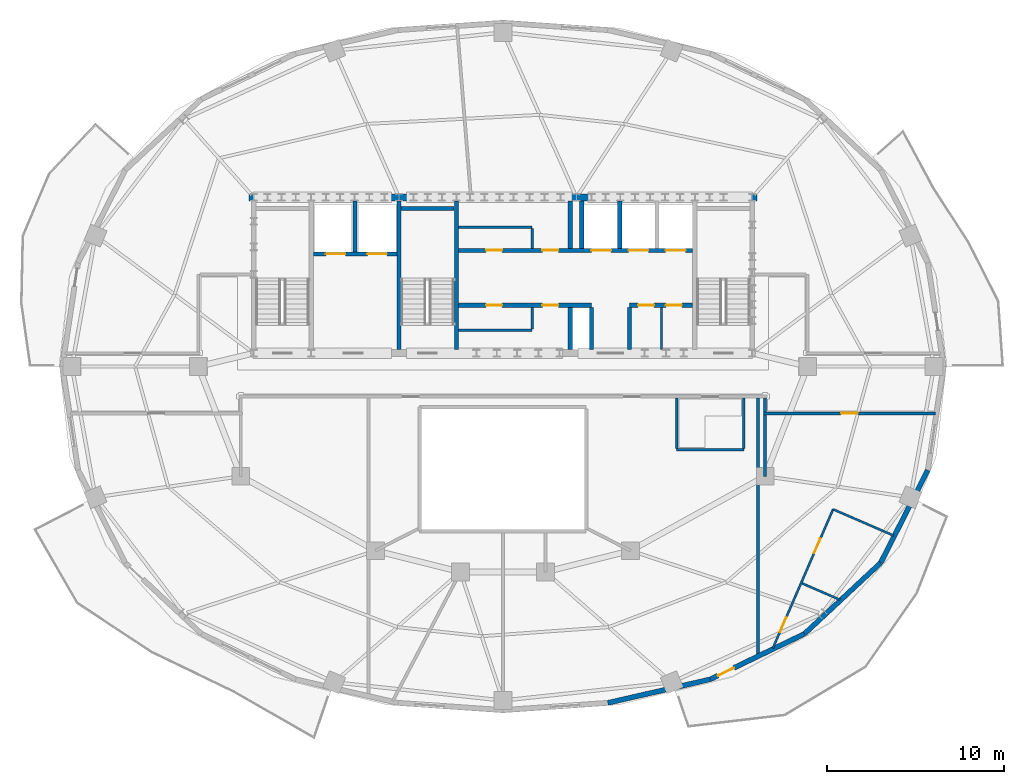
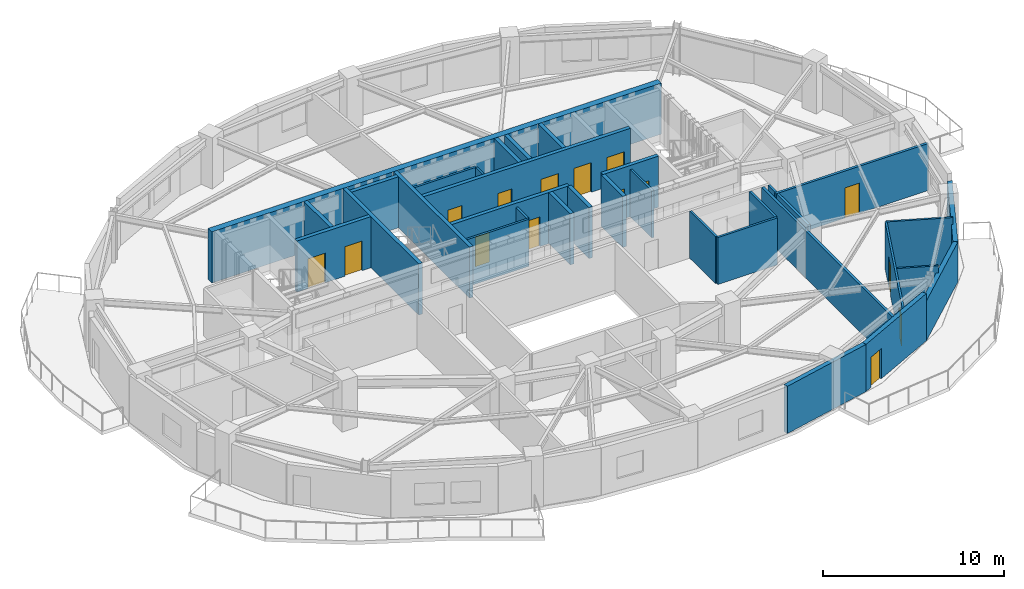
# One storey, part 4 of 9: 34 walls, 15 doors, 15 openings.
"""IFC4 building model written with IfcOpenShell, lengths in metres."""

from ifc_helpers import new_model, si_unit, direction, frame, frame_2d, origin, place, context, subcontext, project, spatial, rectangle, extrude, material, layer, layer_set, type_object, element, fill, save


model = new_model("IFC4")

# Units and contexts
model_context = context("Model", 3, precision=1e-05, world=origin(), true_north=direction((0.0, 1.0)))
body_context = subcontext(model_context, "Body", "Model", "MODEL_VIEW")
ifc_project = project(units=[si_unit("LENGTHUNIT", "METRE"), si_unit("AREAUNIT", "SQUARE_METRE"), si_unit("VOLUMEUNIT", "CUBIC_METRE"), si_unit("PLANEANGLEUNIT", "RADIAN"), si_unit("MASSUNIT", "GRAM", prefix="KILO")], contexts=[model_context])

# Site, building, storey
site_placement = place(None, origin())
site = spatial("IfcSite", under=ifc_project, at=site_placement, CompositionType="ELEMENT")
building_placement = place(site_placement, origin())
building = spatial("IfcBuilding", under=site, at=building_placement, Name="Haldorwick Loom Tower", CompositionType="ELEMENT")
storey_placement = place(building_placement, frame((0.0, 0.0, 244.35009765625)))
storey = spatial("IfcBuildingStorey", under=building, at=storey_placement, Name="L66", CompositionType="ELEMENT", Elevation=244.35009765625)

# Wall
ifc_material_1 = material(Name="Pressed Clay Face Brick and Insulated Masonry Backup Assembly", Category="masonry")
ifc_layer_1 = layer(ifc_material_1, 0.280029296875, Name="Pressed Clay Face Brick and Insulated Masonry Backup Assembly", Category="masonry")
ifc_layer_set_1 = layer_set([ifc_layer_1], Name="Pressed Clay Face Brick and Insulated Masonry Backup Assembly")
wall_type_1 = type_object("IfcWallType", Name="ARC-WL-EXT280", PredefinedType="STANDARD", material=ifc_layer_set_1)
wall_1_placement = place(storey_placement, frame((41.91943359375, 7.006103515625, 0.0), z_axis=(0.0, 0.0, 1.0), x_axis=(0.974589984037, 0.223996345987, 0.0)))
element("IfcWall", 1, at=wall_1_placement, inside=storey, type_object=wall_type_1, Name="L66 Brick Pier and Spandrel Wall 20", PredefinedType="STANDARD", context=body_context, shape_type="SweptSolid", body=[
    extrude(rectangle(XDim=5.92919921875, YDim=0.280029296875, at=frame_2d((2.964599609375, 0.0))), origin(), (0.0, 0.0, 1.0), 3.18994140625),
])

# Wall, opening, door
wall_2_placement = place(storey_placement, frame((47.697998046875, 8.334228515625, 0.0), z_axis=(0.0, 0.0, 1.0), x_axis=(0.900481907967, 0.434893473651, 0.0)))
wall_2 = element("IfcWall", 2, at=wall_2_placement, inside=storey, type_object=wall_type_1, Name="L66 Brick Pier and Spandrel Wall 21", PredefinedType="STANDARD", context=body_context, shape_type="SweptSolid", body=[
    extrude(rectangle(XDim=5.90966796875, YDim=0.280029296875, at=frame_2d((2.954833984375, 0.0))), origin(), (0.0, 0.0, 1.0), 3.18994140625),
])
opening_1_placement = place(wall_2_placement, frame((0.486083984375, 0.0, 0.0)))
opening_1 = element("IfcOpeningElement", 3, at=opening_1_placement, cuts=wall_2, Name="Opening D-BL10", PredefinedType="OPENING", context=body_context, shape_type="SweptSolid", body=[
    extrude(rectangle(XDim=1.0, YDim=2.0400390625, at=frame_2d((0.5, 1.02001953125))), frame((0.0, 0.14990234375, 0.0), z_axis=(0.0, -1.0, 0.0), x_axis=(1.0, 0.0, 0.0)), (0.0, 0.0, 1.0), 0.300048828125),
])
ifc_material_2 = material(Name="Thermally Broken Anodized Aluminium Curtain Wall Framing", Category="aluminium")
door_type_1 = type_object("IfcDoorType", Name="ARC-DR-BAL100", OperationType="NOTDEFINED", PredefinedType="DOOR", material=ifc_material_2)
door_1_placement = place(opening_1_placement, origin())
door_1 = element("IfcDoor", 4, at=door_1_placement, inside=storey, type_object=door_type_1, Name="L66 Outdoor Terrace Door SLB-L66-BAL_SE", OperationType="SINGLE_SWING_RIGHT", OverallHeight=2.0400390625, OverallWidth=1.0, PredefinedType="DOOR", context=body_context, shape_type="SweptSolid", body=[
    extrude(rectangle(XDim=1.0, YDim=2.0400390625, at=frame_2d((0.5, 1.02001953125))), frame((0.0, 0.02490234375, 0.0), z_axis=(0.0, -1.0, 0.0), x_axis=(1.0, 0.0, 0.0)), (0.0, 0.0, 1.0), 0.050048828125),
])
fill(opening_1, door_1)

# Walls
wall_3_placement = place(storey_placement, frame((53.01953125, 10.904296875, 0.0), z_axis=(0.0, 0.0, 1.0), x_axis=(0.731924682982, 0.68138554317, 0.0)))
element("IfcWall", 5, at=wall_3_placement, inside=storey, type_object=wall_type_1, Name="L66 Brick Pier and Spandrel Wall 22", PredefinedType="STANDARD", context=body_context, shape_type="SweptSolid", body=[
    extrude(rectangle(XDim=5.87890625, YDim=0.280029296875, at=frame_2d((2.939453125, 0.0))), origin(), (0.0, 0.0, 1.0), 2.698974609375),
])
wall_4_placement = place(storey_placement, frame((57.322509765625, 14.91015625, 0.0), z_axis=(0.0, 0.0, 1.0), x_axis=(0.453100705059, 0.89145933787, 0.0)))
element("IfcWall", 6, at=wall_4_placement, inside=storey, type_object=wall_type_1, Name="L66 Brick Pier and Spandrel Wall 23", PredefinedType="STANDARD", context=body_context, shape_type="SweptSolid", body=[
    extrude(rectangle(XDim=5.879150390625, YDim=0.280029296875, at=frame_2d((2.939453125, 0.0))), origin(), (0.0, 0.0, 1.0), 2.698974609375),
])

# Wall, opening, door
ifc_material_3 = material(Name="Fire-Rated Type X Gypsum Stud Assembly EI 60")
ifc_layer_2 = layer(ifc_material_3, 0.159912109375, Name="Fire-Rated Type X Gypsum Stud Assembly EI 60")
ifc_layer_set_2 = layer_set([ifc_layer_2], Name="Fire-Rated Type X Gypsum Stud Assembly EI 60")
wall_type_2 = type_object("IfcWallType", Name="ARC-WL-FIRE160", PredefinedType="PARTITIONING", material=ifc_layer_set_2)
wall_5_placement = place(storey_placement, frame((50.699951171875, 23.35009765625, 0.0), z_axis=(0.0, 0.0, 1.0), x_axis=(1.0, 0.0, 0.0)))
wall_5 = element("IfcWall", 7, at=wall_5_placement, inside=storey, type_object=wall_type_2, Name="L66 Residential Fire Partition L66-CR-SPE", PredefinedType="PARTITIONING", context=body_context, shape_type="SweptSolid", body=[
    extrude(rectangle(XDim=9.727783203125, YDim=0.159912109375, at=frame_2d((4.86376953125, 0.0))), origin(), (0.0, 0.0, 1.0), 3.1748046875),
])
opening_2_placement = place(wall_5_placement, frame((4.388916015625, 0.0, 0.0)))
opening_2 = element("IfcOpeningElement", 8, at=opening_2_placement, cuts=wall_5, Name="Opening D-FL95", PredefinedType="OPENING", context=body_context, shape_type="SweptSolid", body=[
    extrude(rectangle(XDim=0.949951171875, YDim=2.0400390625, at=frame_2d((0.47509765625, 1.02001953125))), frame((0.0, 0.08984375, 0.0), z_axis=(0.0, -1.0, 0.0), x_axis=(1.0, 0.0, 0.0)), (0.0, 0.0, 1.0), 0.179931640625),
])
ifc_material_4 = material(Name="Solid Core Birch Architectural Door")
door_type_2 = type_object("IfcDoorType", Name="ARC-DR-FLAT95", OperationType="NOTDEFINED", PredefinedType="DOOR", material=ifc_material_4)
door_2_placement = place(opening_2_placement, origin())
door_2 = element("IfcDoor", 9, at=door_2_placement, inside=storey, type_object=door_type_2, Name="L66 L66 Central Residential Corridor to Unit 66B Kitchen and Living Room", OperationType="SINGLE_SWING_RIGHT", OverallHeight=2.0400390625, OverallWidth=0.949951171875, PredefinedType="DOOR", context=body_context, shape_type="SweptSolid", body=[
    extrude(rectangle(XDim=0.949951171875, YDim=2.0400390625, at=frame_2d((0.47509765625, 1.02001953125))), frame((0.0, 0.02490234375, 0.0), z_axis=(0.0, -1.0, 0.0), x_axis=(1.0, 0.0, 0.0)), (0.0, 0.0, 1.0), 0.050048828125),
])
fill(opening_2, door_2)

# Walls
wall_6_placement = place(storey_placement, frame((50.800048828125, 23.43310546875, 0.0), z_axis=(0.0, 0.0, 1.0), x_axis=(0.0, 1.0, 0.0)))
element("IfcWall", 10, at=wall_6_placement, inside=storey, type_object=wall_type_2, Name="L66 Residential Fire Partition L66-CR-STE", PredefinedType="PARTITIONING", context=body_context, shape_type="SweptSolid", body=[
    extrude(rectangle(XDim=0.783935546875, YDim=0.159912109375, at=frame_2d((0.39208984375, 0.0))), origin(), (0.0, 0.0, 1.0), 3.1748046875),
])
wall_7_placement = place(storey_placement, frame((50.800048828125, 23.26708984375, 0.0), z_axis=(0.0, 0.0, 1.0), x_axis=(0.0, -1.0, 0.0)))
element("IfcWall", 11, at=wall_7_placement, inside=storey, type_object=wall_type_2, Name="L66 Residential Fire Partition L66-ICA-01", PredefinedType="PARTITIONING", context=body_context, shape_type="SweptSolid", body=[
    extrude(rectangle(XDim=3.467041015625, YDim=0.159912109375, at=frame_2d((1.7333984375, 0.0))), origin(), (0.0, 0.0, 1.0), 3.1748046875),
])
wall_8_placement = place(storey_placement, frame((50.406005859375, 9.692138671875, 0.0), z_axis=(0.0, 0.0, 1.0), x_axis=(0.0, 1.0, 0.0)))
element("IfcWall", 12, at=wall_8_placement, inside=storey, type_object=wall_type_2, Name="L66 Suite Split Wall", PredefinedType="PARTITIONING", context=body_context, shape_type="SweptSolid", body=[
    extrude(rectangle(XDim=14.52490234375, YDim=0.159912109375, at=frame_2d((7.262451171875, 0.0))), origin(), (0.0, 0.0, 1.0), 3.1748046875),
])

# Wall, openings, doors
ifc_material_5 = material(Name="Acoustic Gypsum Stud Assembly STC 55")
ifc_layer_3 = layer(ifc_material_5, 0.1201171875, Name="Acoustic Gypsum Stud Assembly STC 55")
ifc_layer_set_3 = layer_set([ifc_layer_3], Name="Acoustic Gypsum Stud Assembly STC 55")
wall_type_3 = type_object("IfcWallType", Name="ARC-WL-PART120", PredefinedType="PARTITIONING", material=ifc_layer_set_3)
wall_9_placement = place(storey_placement, frame((51.237060546875, 10.093505859375, 0.0), z_axis=(0.0, 0.0, 1.0), x_axis=(0.397831872011, 0.917458337807, 0.0)))
wall_9 = element("IfcWall", 13, at=wall_9_placement, inside=storey, type_object=wall_type_3, Name="L66 Unit 66B Interior Partition", PredefinedType="PARTITIONING", context=body_context, shape_type="SweptSolid", body=[
    extrude(rectangle(XDim=8.54736328125, YDim=0.1201171875, at=frame_2d((4.273681640625, 0.0))), origin(), (0.0, 0.0, 1.0), 3.1748046875),
])
opening_3_placement = place(wall_9_placement, frame((5.84814453125, 0.0, 0.0)))
opening_3 = element("IfcOpeningElement", 14, at=opening_3_placement, cuts=wall_9, Name="Opening D-IN90", PredefinedType="OPENING", context=body_context, shape_type="SweptSolid", body=[
    extrude(rectangle(XDim=0.89990234375, YDim=2.0400390625, at=frame_2d((0.449951171875, 1.02001953125))), frame((0.0, 0.070068359375, 0.0), z_axis=(0.0, -1.0, 0.0), x_axis=(1.0, 0.0, 0.0)), (0.0, 0.0, 1.0), 0.14013671875),
])
opening_4_placement = place(wall_9_placement, frame((1.005615234375, 0.0, 0.0)))
opening_4 = element("IfcOpeningElement", 15, at=opening_4_placement, cuts=wall_9, Name="Opening D-BT88", PredefinedType="OPENING", context=body_context, shape_type="SweptSolid", body=[
    extrude(rectangle(XDim=0.8798828125, YDim=2.02001953125, at=frame_2d((0.43994140625, 1.010009765625))), frame((0.0, 0.070068359375, 0.0), z_axis=(0.0, -1.0, 0.0), x_axis=(1.0, 0.0, 0.0)), (0.0, 0.0, 1.0), 0.14013671875),
])
door_type_3 = type_object("IfcDoorType", Name="ARC-DR-BATH88", OperationType="NOTDEFINED", PredefinedType="DOOR", material=ifc_material_4)
door_3_placement = place(opening_4_placement, origin())
door_3 = element("IfcDoor", 16, at=door_3_placement, inside=storey, type_object=door_type_3, Name="L66 Unit 66B Kitchen and Living Room to Unit 66B Bathroom Door", OperationType="SINGLE_SWING_LEFT", OverallHeight=2.02001953125, OverallWidth=0.8798828125, PredefinedType="DOOR", context=body_context, shape_type="SweptSolid", body=[
    extrude(rectangle(XDim=0.8798828125, YDim=2.02001953125, at=frame_2d((0.43994140625, 1.010009765625))), frame((0.0, 0.02490234375, 0.0), z_axis=(0.0, -1.0, 0.0), x_axis=(1.0, 0.0, 0.0)), (0.0, 0.0, 1.0), 0.050048828125),
])
fill(opening_4, door_3)
door_type_4 = type_object("IfcDoorType", Name="ARC-DR-INT90", OperationType="NOTDEFINED", PredefinedType="DOOR", material=ifc_material_4)
door_4_placement = place(opening_3_placement, origin())
door_4 = element("IfcDoor", 17, at=door_4_placement, inside=storey, type_object=door_type_4, Name="L66 Unit 66B Kitchen and Living Room to Unit 66B Bedroom 1 Door", OperationType="SINGLE_SWING_RIGHT", OverallHeight=2.0400390625, OverallWidth=0.89990234375, PredefinedType="DOOR", context=body_context, shape_type="SweptSolid", body=[
    extrude(rectangle(XDim=0.89990234375, YDim=2.0400390625, at=frame_2d((0.449951171875, 1.02001953125))), frame((0.0, 0.02490234375, 0.0), z_axis=(0.0, -1.0, 0.0), x_axis=(1.0, 0.0, 0.0)), (0.0, 0.0, 1.0), 0.050048828125),
])
fill(opening_3, door_4)

# Walls
wall_10_placement = place(storey_placement, frame((54.637451171875, 17.935302734375, 0.0), z_axis=(0.0, 0.0, 1.0), x_axis=(0.917469558165, -0.397805995229, 0.0)))
element("IfcWall", 18, at=wall_10_placement, inside=storey, type_object=wall_type_3, Name="L66 Unit 66B Interior Partition", PredefinedType="PARTITIONING", context=body_context, shape_type="SweptSolid", body=[
    extrude(rectangle(XDim=3.7265625, YDim=0.1201171875, at=frame_2d((1.86328125, 0.0))), origin(), (0.0, 0.0, 1.0), 3.1748046875),
])
wall_11_placement = place(storey_placement, frame((52.892333984375, 13.75244140625, 0.0), z_axis=(0.0, 0.0, 1.0), x_axis=(0.917482685607, -0.397775717725, 0.0)))
element("IfcWall", 19, at=wall_11_placement, inside=storey, type_object=wall_type_3, Name="L66 Unit 66B Interior Partition", PredefinedType="PARTITIONING", context=body_context, shape_type="SweptSolid", body=[
    extrude(rectangle(XDim=2.320556640625, YDim=0.1201171875, at=frame_2d((1.16015625, 0.0))), origin(), (0.0, 0.0, 1.0), 3.1748046875),
])
ifc_layer_4 = layer(ifc_material_3, 0.139892578125, Name="Fire-Rated Type X Gypsum Stud Assembly EI 60")
ifc_layer_set_4 = layer_set([ifc_layer_4], Name="Fire-Rated Type X Gypsum Stud Assembly EI 60")
wall_type_4 = type_object("IfcWallType", Name="ARC-WL-PART140", PredefinedType="PARTITIONING", material=ifc_layer_set_4)
wall_12_placement = place(storey_placement, frame((33.492919921875, 33.85009765625, 0.0), z_axis=(0.0, 0.0, 1.0), x_axis=(1.0, 0.0, 0.0)))
element("IfcWall", 20, at=wall_12_placement, inside=storey, type_object=wall_type_4, Name="L66 Storage South Partition", PredefinedType="PARTITIONING", context=body_context, shape_type="SweptSolid", body=[
    extrude(rectangle(XDim=4.156982421875, YDim=0.139892578125, at=frame_2d((2.07861328125, 0.0))), origin(), (0.0, 0.0, 1.0), 3.1748046875),
])
wall_13_placement = place(storey_placement, frame((37.64990234375, 32.673095703125, 0.0), z_axis=(0.0, 0.0, 1.0), x_axis=(0.0, 1.0, 0.0)))
element("IfcWall", 21, at=wall_13_placement, inside=storey, type_object=wall_type_4, Name="L66 Storage East Partition", PredefinedType="PARTITIONING", context=body_context, shape_type="SweptSolid", body=[
    extrude(rectangle(XDim=1.10400390625, YDim=0.139892578125, at=frame_2d((0.552001953125, 0.0))), origin(), (0.0, 0.0, 1.0), 3.1748046875),
])
wall_14_placement = place(storey_placement, frame((33.492919921875, 28.050048828125, 0.0), z_axis=(0.0, 0.0, 1.0), x_axis=(1.0, 0.0, 0.0)))
element("IfcWall", 22, at=wall_14_placement, inside=storey, type_object=wall_type_4, Name="L66 Mid-Bank North Partition", PredefinedType="PARTITIONING", context=body_context, shape_type="SweptSolid", body=[
    extrude(rectangle(XDim=4.156982421875, YDim=0.139892578125, at=frame_2d((2.07861328125, 0.0))), origin(), (0.0, 0.0, 1.0), 3.1748046875),
])
wall_15_placement = place(storey_placement, frame((37.64990234375, 28.123046875, 0.0), z_axis=(0.0, 0.0, 1.0), x_axis=(0.0, 1.0, 0.0)))
element("IfcWall", 23, at=wall_15_placement, inside=storey, type_object=wall_type_4, Name="L66 Mid-Bank East Partition", PredefinedType="PARTITIONING", context=body_context, shape_type="SweptSolid", body=[
    extrude(rectangle(XDim=1.203857421875, YDim=0.139892578125, at=frame_2d((0.60205078125, 0.0))), origin(), (0.0, 0.0, 1.0), 3.1748046875),
])
wall_16_placement = place(storey_placement, frame((44.949951171875, 26.952880859375, 0.0), z_axis=(0.0, 0.0, 1.0), x_axis=(0.0, 1.0, 0.0)))
element("IfcWall", 24, at=wall_16_placement, inside=storey, type_object=wall_type_4, Name="L66 Service Partition", PredefinedType="PARTITIONING", context=body_context, shape_type="SweptSolid", body=[
    extrude(rectangle(XDim=2.3740234375, YDim=0.139892578125, at=frame_2d((1.18701171875, 0.0))), origin(), (0.0, 0.0, 1.0), 3.1748046875),
])
wall_17_placement = place(storey_placement, frame((45.800048828125, 21.300048828125, 0.0), z_axis=(0.0, 0.0, 1.0), x_axis=(1.0, 0.0, 0.0)))
element("IfcWall", 25, at=wall_17_placement, inside=storey, type_object=wall_type_4, Name="L66 Residential Fire Partition L66-CWC-S", PredefinedType="PARTITIONING", context=body_context, shape_type="SweptSolid", body=[
    extrude(rectangle(XDim=3.800048828125, YDim=0.139892578125, at=frame_2d((1.89990234375, 0.0))), origin(), (0.0, 0.0, 1.0), 3.1748046875),
])
for number, where, z_axis, x_axis, name in (
    (26, (45.800048828125, 21.373046875, 0.0), (0.0, 0.0, 1.0), (0.0, 1.0, 0.0), "L66 Residential Fire Partition L66-CWC-W"),
    (27, (49.60009765625, 21.373046875, 0.0), (0.0, 0.0, 1.0), (0.0, 1.0, 0.0), "L66 Residential Fire Partition L66-CWC-E"),
):
    element("IfcWall", number, at=place(storey_placement, frame(where, z_axis=z_axis, x_axis=x_axis)), inside=storey, type_object=wall_type_4, Name=name, PredefinedType="PARTITIONING", context=body_context, shape_type="SweptSolid", body=[
        extrude(rectangle(XDim=2.843994140625, YDim=0.139892578125, at=frame_2d((1.421875, 0.0))), origin(), (0.0, 0.0, 1.0), 3.1748046875),
    ])
ifc_material_6 = material(Name="Concrete C50 (50 MPa)", Category="concrete")
ifc_layer_5 = layer(ifc_material_6, 0.39990234375, Name="Concrete C50 (50 MPa)", Category="concrete")
ifc_layer_set_5 = layer_set([ifc_layer_5], Name="Concrete C50 (50 MPa)")
wall_type_5 = type_object("IfcWallType", Name="STR-WL-CORE400", PredefinedType="SHEAR", material=ifc_layer_set_5)
wall_18_placement = place(storey_placement, frame((50.35009765625, 35.550048828125, 0.0), z_axis=(0.0, 0.0, 1.0), x_axis=(-1.0, 0.0, 0.0)))
element("IfcWall", 28, at=wall_18_placement, inside=storey, type_object=wall_type_5, Name="L66 Core Shear Wall N", PredefinedType="SHEAR", context=body_context, shape_type="SweptSolid", body=[
    extrude(rectangle(XDim=28.7001953125, YDim=0.39990234375, at=frame_2d((14.35009765625, 0.0))), origin(), (0.0, 0.0, 1.0), 3.449951171875),
])
ifc_layer_6 = layer(ifc_material_6, 0.239990234375, Name="Concrete C50 (50 MPa)", Category="concrete")
ifc_layer_set_6 = layer_set([ifc_layer_6], Name="Concrete C50 (50 MPa)")
wall_type_6 = type_object("IfcWallType", Name="STR-WL-SHAFT240", PredefinedType="SHEAR", material=ifc_layer_set_6)
for number, where, z_axis, x_axis, name in (
    (29, (30.1298828125, 26.952880859375, 0.0), (0.0, 0.0, 1.0), (0.0, 1.0, 0.0), "L66 Core Shear Wall 2"),
    (30, (33.3701171875, 26.952880859375, 0.0), (0.0, 0.0, 1.0), (0.0, 1.0, 0.0), "L66 Core Shear Wall 3"),
):
    element("IfcWall", number, at=place(storey_placement, frame(where, z_axis=z_axis, x_axis=x_axis)), inside=storey, type_object=wall_type_6, Name=name, PredefinedType="SHEAR", context=body_context, shape_type="SweptSolid", body=[
        extrude(rectangle(XDim=8.39404296875, YDim=0.239990234375, at=frame_2d((4.197021484375, 0.0))), origin(), (0.0, 0.0, 1.0), 3.449951171875),
    ])
wall_19_placement = place(storey_placement, frame((30.2529296875, 34.919921875, 0.0), z_axis=(0.0, 0.0, 1.0), x_axis=(1.0, 0.0, 0.0)))
element("IfcWall", 31, at=wall_19_placement, inside=storey, type_object=wall_type_6, Name="L66 Core Shear Wall 3N", PredefinedType="SHEAR", context=body_context, shape_type="SweptSolid", body=[
    extrude(rectangle(XDim=2.994140625, YDim=0.239990234375, at=frame_2d((1.4970703125, 0.0))), origin(), (0.0, 0.0, 1.0), 3.449951171875),
])

# Wall, openings, doors
wall_20_placement = place(storey_placement, frame((25.29296875, 32.35009765625, 0.0), z_axis=(0.0, 0.0, 1.0), x_axis=(1.0, 0.0, 0.0)))
wall_20 = element("IfcWall", 32, at=wall_20_placement, inside=storey, type_object=wall_type_6, Name="L66 Core Shear Wall FF", PredefinedType="SHEAR", context=body_context, shape_type="SweptSolid", body=[
    extrude(rectangle(XDim=4.714111328125, YDim=0.239990234375, at=frame_2d((2.35693359375, 0.0))), origin(), (0.0, 0.0, 1.0), 3.449951171875),
])
opening_5_placement = place(wall_20_placement, frame((0.70703125, 0.0, 0.0)))
opening_5 = element("IfcOpeningElement", 33, at=opening_5_placement, cuts=wall_20, Name="Opening LD-FF1", PredefinedType="OPENING", context=body_context, shape_type="SweptSolid", body=[
    extrude(rectangle(XDim=1.10009765625, YDim=2.0, at=frame_2d((0.550048828125, 1.0))), frame((0.0, 0.1298828125, 0.0), z_axis=(0.0, -1.0, 0.0), x_axis=(1.0, 0.0, 0.0)), (0.0, 0.0, 1.0), 0.260009765625),
])
opening_6_placement = place(wall_20_placement, frame((3.056884765625, 0.0, 0.0)))
opening_6 = element("IfcOpeningElement", 34, at=opening_6_placement, cuts=wall_20, Name="Opening LD-FF2", PredefinedType="OPENING", context=body_context, shape_type="SweptSolid", body=[
    extrude(rectangle(XDim=1.10009765625, YDim=2.0, at=frame_2d((0.550048828125, 1.0))), frame((0.0, 0.1298828125, 0.0), z_axis=(0.0, -1.0, 0.0), x_axis=(1.0, 0.0, 0.0)), (0.0, 0.0, 1.0), 0.260009765625),
])
ifc_material_7 = material(Name="Hollow Steel Fire Door Assembly", Category="steel")
door_type_5 = type_object("IfcDoorType", Name="ARC-DR-LD-FF", OperationType="NOTDEFINED", PredefinedType="USERDEFINED", material=ifc_material_7)
door_5_placement = place(opening_5_placement, origin())
door_5 = element("IfcDoor", 35, at=door_5_placement, inside=storey, type_object=door_type_5, Name="L66 Lift LF-FF1 Sliding Landing Door", ObjectType="LANDING DOOR", OperationType="DOUBLE_DOOR_SLIDING", OverallHeight=2.0, OverallWidth=1.10009765625, PredefinedType="USERDEFINED", context=body_context, shape_type="SweptSolid", body=[
    extrude(rectangle(XDim=1.10009765625, YDim=2.0, at=frame_2d((0.550048828125, 1.0))), frame((0.0, 0.02490234375, 0.0), z_axis=(0.0, -1.0, 0.0), x_axis=(1.0, 0.0, 0.0)), (0.0, 0.0, 1.0), 0.050048828125),
])
fill(opening_5, door_5)
door_6_placement = place(opening_6_placement, origin())
door_6 = element("IfcDoor", 36, at=door_6_placement, inside=storey, type_object=door_type_5, Name="L66 Lift LF-FF2 Sliding Landing Door", ObjectType="LANDING DOOR", OperationType="DOUBLE_DOOR_SLIDING", OverallHeight=2.0, OverallWidth=1.10009765625, PredefinedType="USERDEFINED", context=body_context, shape_type="SweptSolid", body=[
    extrude(rectangle(XDim=1.10009765625, YDim=2.0, at=frame_2d((0.550048828125, 1.0))), frame((0.0, 0.02490234375, 0.0), z_axis=(0.0, -1.0, 0.0), x_axis=(1.0, 0.0, 0.0)), (0.0, 0.0, 1.0), 0.050048828125),
])
fill(opening_6, door_6)

# Wall
wall_21_placement = place(storey_placement, frame((27.64990234375, 32.472900390625, 0.0), z_axis=(0.0, 0.0, 1.0), x_axis=(0.0, 1.0, 0.0)))
element("IfcWall", 37, at=wall_21_placement, inside=storey, type_object=wall_type_6, Name="L66 Core Shear Wall FFD", PredefinedType="SHEAR", context=body_context, shape_type="SweptSolid", body=[
    extrude(rectangle(XDim=2.8740234375, YDim=0.239990234375, at=frame_2d((1.43701171875, 0.0))), origin(), (0.0, 0.0, 1.0), 3.449951171875),
])

# Wall, openings, doors
wall_22_placement = place(storey_placement, frame((33.492919921875, 32.550048828125, 0.0), z_axis=(0.0, 0.0, 1.0), x_axis=(1.0, 0.0, 0.0)))
wall_22 = element("IfcWall", 38, at=wall_22_placement, inside=storey, type_object=wall_type_6, Name="L66 Core Shear Wall LN", PredefinedType="SHEAR", context=body_context, shape_type="SweptSolid", body=[
    extrude(rectangle(XDim=13.214111328125, YDim=0.239990234375, at=frame_2d((6.60693359375, 0.0))), origin(), (0.0, 0.0, 1.0), 3.449951171875),
])
opening_7_placement = place(wall_22_placement, frame((1.556884765625, 0.0, 0.0)))
opening_7 = element("IfcOpeningElement", 39, at=opening_7_placement, cuts=wall_22, Name="Opening D-FD60A", PredefinedType="OPENING", context=body_context, shape_type="SweptSolid", body=[
    extrude(rectangle(XDim=0.89990234375, YDim=2.0, at=frame_2d((0.449951171875, 1.0))), frame((0.0, 0.1298828125, 0.0), z_axis=(0.0, -1.0, 0.0), x_axis=(1.0, 0.0, 0.0)), (0.0, 0.0, 1.0), 0.260009765625),
])
opening_8_placement = place(wall_22_placement, frame((4.737060546875, 0.0, 0.0)))
opening_8 = element("IfcOpeningElement", 40, at=opening_8_placement, cuts=wall_22, Name="Opening D-FD60A", PredefinedType="OPENING", context=body_context, shape_type="SweptSolid", body=[
    extrude(rectangle(XDim=0.89990234375, YDim=2.0, at=frame_2d((0.449951171875, 1.0))), frame((0.0, 0.1298828125, 0.0), z_axis=(0.0, -1.0, 0.0), x_axis=(1.0, 0.0, 0.0)), (0.0, 0.0, 1.0), 0.260009765625),
])
opening_9_placement = place(wall_22_placement, frame((7.4970703125, 0.0, 0.0)))
opening_9 = element("IfcOpeningElement", 41, at=opening_9_placement, cuts=wall_22, Name="Opening LD-H1", PredefinedType="OPENING", context=body_context, shape_type="SweptSolid", body=[
    extrude(rectangle(XDim=1.1201171875, YDim=2.0, at=frame_2d((0.56005859375, 1.0))), frame((0.0, 0.1298828125, 0.0), z_axis=(0.0, -1.0, 0.0), x_axis=(1.0, 0.0, 0.0)), (0.0, 0.0, 1.0), 0.260009765625),
])
opening_10_placement = place(wall_22_placement, frame((9.596923828125, 0.0, 0.0)))
opening_10 = element("IfcOpeningElement", 42, at=opening_10_placement, cuts=wall_22, Name="Opening LD-H2", PredefinedType="OPENING", context=body_context, shape_type="SweptSolid", body=[
    extrude(rectangle(XDim=1.1201171875, YDim=2.0, at=frame_2d((0.56005859375, 1.0))), frame((0.0, 0.1298828125, 0.0), z_axis=(0.0, -1.0, 0.0), x_axis=(1.0, 0.0, 0.0)), (0.0, 0.0, 1.0), 0.260009765625),
])
opening_11_placement = place(wall_22_placement, frame((11.697021484375, 0.0, 0.0)))
opening_11 = element("IfcOpeningElement", 43, at=opening_11_placement, cuts=wall_22, Name="Opening LD-H3", PredefinedType="OPENING", context=body_context, shape_type="SweptSolid", body=[
    extrude(rectangle(XDim=1.1201171875, YDim=2.0, at=frame_2d((0.56005859375, 1.0))), frame((0.0, 0.1298828125, 0.0), z_axis=(0.0, -1.0, 0.0), x_axis=(1.0, 0.0, 0.0)), (0.0, 0.0, 1.0), 0.260009765625),
])
door_type_6 = type_object("IfcDoorType", Name="ARC-DR-FD60-90", OperationType="NOTDEFINED", PredefinedType="DOOR", material=ifc_material_7)
door_7_placement = place(opening_7_placement, frame((0.89990234375, 0.0, 0.0), z_axis=(0.0, 0.0, 1.0), x_axis=(-1.0, 0.0, 0.0)))
door_7 = element("IfcDoor", 44, at=door_7_placement, inside=storey, type_object=door_type_6, Name="L66 Resident Storage Door", OperationType="SINGLE_SWING_LEFT", OverallHeight=2.0, OverallWidth=0.89990234375, PredefinedType="DOOR", context=body_context, shape_type="SweptSolid", body=[
    extrude(rectangle(XDim=0.89990234375, YDim=2.0, at=frame_2d((0.449951171875, 1.0))), frame((0.0, 0.02490234375, 0.0), z_axis=(0.0, -1.0, 0.0), x_axis=(1.0, 0.0, 0.0)), (0.0, 0.0, 1.0), 0.050048828125),
])
fill(opening_7, door_7)
door_8_placement = place(opening_8_placement, frame((0.89990234375, 0.0, 0.0), z_axis=(0.0, 0.0, 1.0), x_axis=(-1.0, 0.0, 0.0)))
door_8 = element("IfcDoor", 45, at=door_8_placement, inside=storey, type_object=door_type_6, Name="L66 Laundry Door", OperationType="SINGLE_SWING_RIGHT", OverallHeight=2.0, OverallWidth=0.89990234375, PredefinedType="DOOR", context=body_context, shape_type="SweptSolid", body=[
    extrude(rectangle(XDim=0.89990234375, YDim=2.0, at=frame_2d((0.449951171875, 1.0))), frame((0.0, 0.02490234375, 0.0), z_axis=(0.0, -1.0, 0.0), x_axis=(1.0, 0.0, 0.0)), (0.0, 0.0, 1.0), 0.050048828125),
])
fill(opening_8, door_8)
door_type_7 = type_object("IfcDoorType", Name="ARC-DR-LD-PAX", OperationType="NOTDEFINED", PredefinedType="USERDEFINED", material=ifc_material_7)
door_9_placement = place(opening_9_placement, origin())
door_9 = element("IfcDoor", 46, at=door_9_placement, inside=storey, type_object=door_type_7, Name="L66 Lift LF-H1 Sliding Landing Door", ObjectType="LANDING DOOR", OperationType="DOUBLE_DOOR_SLIDING", OverallHeight=2.0, OverallWidth=1.1201171875, PredefinedType="USERDEFINED", context=body_context, shape_type="SweptSolid", body=[
    extrude(rectangle(XDim=1.1201171875, YDim=2.0, at=frame_2d((0.56005859375, 1.0))), frame((0.0, 0.02490234375, 0.0), z_axis=(0.0, -1.0, 0.0), x_axis=(1.0, 0.0, 0.0)), (0.0, 0.0, 1.0), 0.050048828125),
])
fill(opening_9, door_9)
door_10_placement = place(opening_10_placement, origin())
door_10 = element("IfcDoor", 47, at=door_10_placement, inside=storey, type_object=door_type_7, Name="L66 Lift LF-H2 Sliding Landing Door", ObjectType="LANDING DOOR", OperationType="DOUBLE_DOOR_SLIDING", OverallHeight=2.0, OverallWidth=1.1201171875, PredefinedType="USERDEFINED", context=body_context, shape_type="SweptSolid", body=[
    extrude(rectangle(XDim=1.1201171875, YDim=2.0, at=frame_2d((0.56005859375, 1.0))), frame((0.0, 0.02490234375, 0.0), z_axis=(0.0, -1.0, 0.0), x_axis=(1.0, 0.0, 0.0)), (0.0, 0.0, 1.0), 0.050048828125),
])
fill(opening_10, door_10)
door_11_placement = place(opening_11_placement, origin())
door_11 = element("IfcDoor", 48, at=door_11_placement, inside=storey, type_object=door_type_7, Name="L66 Lift LF-H3 Sliding Landing Door", ObjectType="LANDING DOOR", OperationType="DOUBLE_DOOR_SLIDING", OverallHeight=2.0, OverallWidth=1.1201171875, PredefinedType="USERDEFINED", context=body_context, shape_type="SweptSolid", body=[
    extrude(rectangle(XDim=1.1201171875, YDim=2.0, at=frame_2d((0.56005859375, 1.0))), frame((0.0, 0.02490234375, 0.0), z_axis=(0.0, -1.0, 0.0), x_axis=(1.0, 0.0, 0.0)), (0.0, 0.0, 1.0), 0.050048828125),
])
fill(opening_11, door_11)

wall_23_placement = place(storey_placement, frame((33.492919921875, 29.449951171875, 0.0), z_axis=(0.0, 0.0, 1.0), x_axis=(1.0, 0.0, 0.0)))
wall_23 = element("IfcWall", 49, at=wall_23_placement, inside=storey, type_object=wall_type_6, Name="L66 Core Shear Wall LS1", PredefinedType="SHEAR", context=body_context, shape_type="SweptSolid", body=[
    extrude(rectangle(XDim=7.507080078125, YDim=0.239990234375, at=frame_2d((3.75341796875, 0.0))), origin(), (0.0, 0.0, 1.0), 3.449951171875),
])
opening_12_placement = place(wall_23_placement, frame((1.556884765625, 0.0, 0.0)))
opening_12 = element("IfcOpeningElement", 50, at=opening_12_placement, cuts=wall_23, Name="Opening D-FD60A", PredefinedType="OPENING", context=body_context, shape_type="SweptSolid", body=[
    extrude(rectangle(XDim=0.89990234375, YDim=2.0, at=frame_2d((0.449951171875, 1.0))), frame((0.0, 0.1298828125, 0.0), z_axis=(0.0, -1.0, 0.0), x_axis=(1.0, 0.0, 0.0)), (0.0, 0.0, 1.0), 0.260009765625),
])
opening_13_placement = place(wall_23_placement, frame((4.737060546875, 0.0, 0.0)))
opening_13 = element("IfcOpeningElement", 51, at=opening_13_placement, cuts=wall_23, Name="Opening D-FD60A", PredefinedType="OPENING", context=body_context, shape_type="SweptSolid", body=[
    extrude(rectangle(XDim=0.89990234375, YDim=2.0, at=frame_2d((0.449951171875, 1.0))), frame((0.0, 0.1298828125, 0.0), z_axis=(0.0, -1.0, 0.0), x_axis=(1.0, 0.0, 0.0)), (0.0, 0.0, 1.0), 0.260009765625),
])
door_12_placement = place(opening_12_placement, origin())
door_12 = element("IfcDoor", 52, at=door_12_placement, inside=storey, type_object=door_type_6, Name="L66 Sky Storage Door", OperationType="SINGLE_SWING_LEFT", OverallHeight=2.0, OverallWidth=0.89990234375, PredefinedType="DOOR", context=body_context, shape_type="SweptSolid", body=[
    extrude(rectangle(XDim=0.89990234375, YDim=2.0, at=frame_2d((0.449951171875, 1.0))), frame((0.0, 0.02490234375, 0.0), z_axis=(0.0, -1.0, 0.0), x_axis=(1.0, 0.0, 0.0)), (0.0, 0.0, 1.0), 0.050048828125),
])
fill(opening_12, door_12)
door_13_placement = place(opening_13_placement, origin())
door_13 = element("IfcDoor", 53, at=door_13_placement, inside=storey, type_object=door_type_6, Name="L66 Communications Door", OperationType="SINGLE_SWING_RIGHT", OverallHeight=2.0, OverallWidth=0.89990234375, PredefinedType="DOOR", context=body_context, shape_type="SweptSolid", body=[
    extrude(rectangle(XDim=0.89990234375, YDim=2.0, at=frame_2d((0.449951171875, 1.0))), frame((0.0, 0.02490234375, 0.0), z_axis=(0.0, -1.0, 0.0), x_axis=(1.0, 0.0, 0.0)), (0.0, 0.0, 1.0), 0.050048828125),
])
fill(opening_13, door_13)

wall_24_placement = place(storey_placement, frame((43.14990234375, 29.449951171875, 0.0), z_axis=(0.0, 0.0, 1.0), x_axis=(1.0, 0.0, 0.0)))
wall_24 = element("IfcWall", 54, at=wall_24_placement, inside=storey, type_object=wall_type_6, Name="L66 Core Shear Wall LS2", PredefinedType="SHEAR", context=body_context, shape_type="SweptSolid", body=[
    extrude(rectangle(XDim=3.55712890625, YDim=0.239990234375, at=frame_2d((1.778564453125, 0.0))), origin(), (0.0, 0.0, 1.0), 3.449951171875),
])
opening_14_placement = place(wall_24_placement, frame((0.47998046875, 0.0, 0.0)))
opening_14 = element("IfcOpeningElement", 55, at=opening_14_placement, cuts=wall_24, Name="Opening D-FD60A", PredefinedType="OPENING", context=body_context, shape_type="SweptSolid", body=[
    extrude(rectangle(XDim=0.89990234375, YDim=2.0, at=frame_2d((0.449951171875, 1.0))), frame((0.0, 0.1298828125, 0.0), z_axis=(0.0, -1.0, 0.0), x_axis=(1.0, 0.0, 0.0)), (0.0, 0.0, 1.0), 0.260009765625),
])
opening_15_placement = place(wall_24_placement, frame((2.050048828125, 0.0, 0.0)))
opening_15 = element("IfcOpeningElement", 56, at=opening_15_placement, cuts=wall_24, Name="Opening D-FD60A", PredefinedType="OPENING", context=body_context, shape_type="SweptSolid", body=[
    extrude(rectangle(XDim=0.89990234375, YDim=2.0, at=frame_2d((0.449951171875, 1.0))), frame((0.0, 0.1298828125, 0.0), z_axis=(0.0, -1.0, 0.0), x_axis=(1.0, 0.0, 0.0)), (0.0, 0.0, 1.0), 0.260009765625),
])
door_14_placement = place(opening_14_placement, origin())
door_14 = element("IfcDoor", 57, at=door_14_placement, inside=storey, type_object=door_type_6, Name="L66 Electrical Room Door", OperationType="SINGLE_SWING_LEFT", OverallHeight=2.0, OverallWidth=0.89990234375, PredefinedType="DOOR", context=body_context, shape_type="SweptSolid", body=[
    extrude(rectangle(XDim=0.89990234375, YDim=2.0, at=frame_2d((0.449951171875, 1.0))), frame((0.0, 0.02490234375, 0.0), z_axis=(0.0, -1.0, 0.0), x_axis=(1.0, 0.0, 0.0)), (0.0, 0.0, 1.0), 0.050048828125),
])
fill(opening_14, door_14)
door_15_placement = place(opening_15_placement, origin())
door_15 = element("IfcDoor", 58, at=door_15_placement, inside=storey, type_object=door_type_6, Name="L66 Cleaner's Store Door", OperationType="SINGLE_SWING_LEFT", OverallHeight=2.0, OverallWidth=0.89990234375, PredefinedType="DOOR", context=body_context, shape_type="SweptSolid", body=[
    extrude(rectangle(XDim=0.89990234375, YDim=2.0, at=frame_2d((0.449951171875, 1.0))), frame((0.0, 0.02490234375, 0.0), z_axis=(0.0, -1.0, 0.0), x_axis=(1.0, 0.0, 0.0)), (0.0, 0.0, 1.0), 0.050048828125),
])
fill(opening_15, door_15)

# Walls
for number, where, z_axis, x_axis, name in (
    (59, (41.0, 26.952880859375, 0.0), (0.0, 0.0, 1.0), (0.0, 1.0, 0.0), "L66 Core Shear Wall THW"),
    (60, (43.14990234375, 26.952880859375, 0.0), (0.0, 0.0, 1.0), (0.0, 1.0, 0.0), "L66 Core Shear Wall THE"),
):
    element("IfcWall", number, at=place(storey_placement, frame(where, z_axis=z_axis, x_axis=x_axis)), inside=storey, type_object=wall_type_6, Name=name, PredefinedType="SHEAR", context=body_context, shape_type="SweptSolid", body=[
        extrude(rectangle(XDim=2.3740234375, YDim=0.239990234375, at=frame_2d((1.18701171875, 0.0))), origin(), (0.0, 0.0, 1.0), 3.449951171875),
    ])
for number, where, z_axis, x_axis, name in (
    (61, (39.800048828125, 32.673095703125, 0.0), (0.0, 0.0, 1.0), (0.0, 1.0, 0.0), "L66 Core Shear Wall LHW"),
    (62, (40.449951171875, 32.673095703125, 0.0), (0.0, 0.0, 1.0), (0.0, 1.0, 0.0), "L66 Core Shear Wall H0"),
    (63, (42.60009765625, 32.673095703125, 0.0), (0.0, 0.0, 1.0), (0.0, 1.0, 0.0), "L66 Core Shear Wall H1"),
):
    element("IfcWall", number, at=place(storey_placement, frame(where, z_axis=z_axis, x_axis=x_axis)), inside=storey, type_object=wall_type_6, Name=name, PredefinedType="SHEAR", context=body_context, shape_type="SweptSolid", body=[
        extrude(rectangle(XDim=2.673828125, YDim=0.239990234375, at=frame_2d((1.3369140625, 0.0))), origin(), (0.0, 0.0, 1.0), 3.449951171875),
    ])
wall_25_placement = place(storey_placement, frame((39.800048828125, 26.952880859375, 0.0), z_axis=(0.0, 0.0, 1.0), x_axis=(0.0, 1.0, 0.0)))
element("IfcWall", 64, at=wall_25_placement, inside=storey, type_object=wall_type_6, Name="L66 Core Shear Wall MRW", PredefinedType="SHEAR", context=body_context, shape_type="SweptSolid", body=[
    extrude(rectangle(XDim=2.3740234375, YDim=0.239990234375, at=frame_2d((1.18701171875, 0.0))), origin(), (0.0, 0.0, 1.0), 3.449951171875),
])

save(model, "model.ifc")
